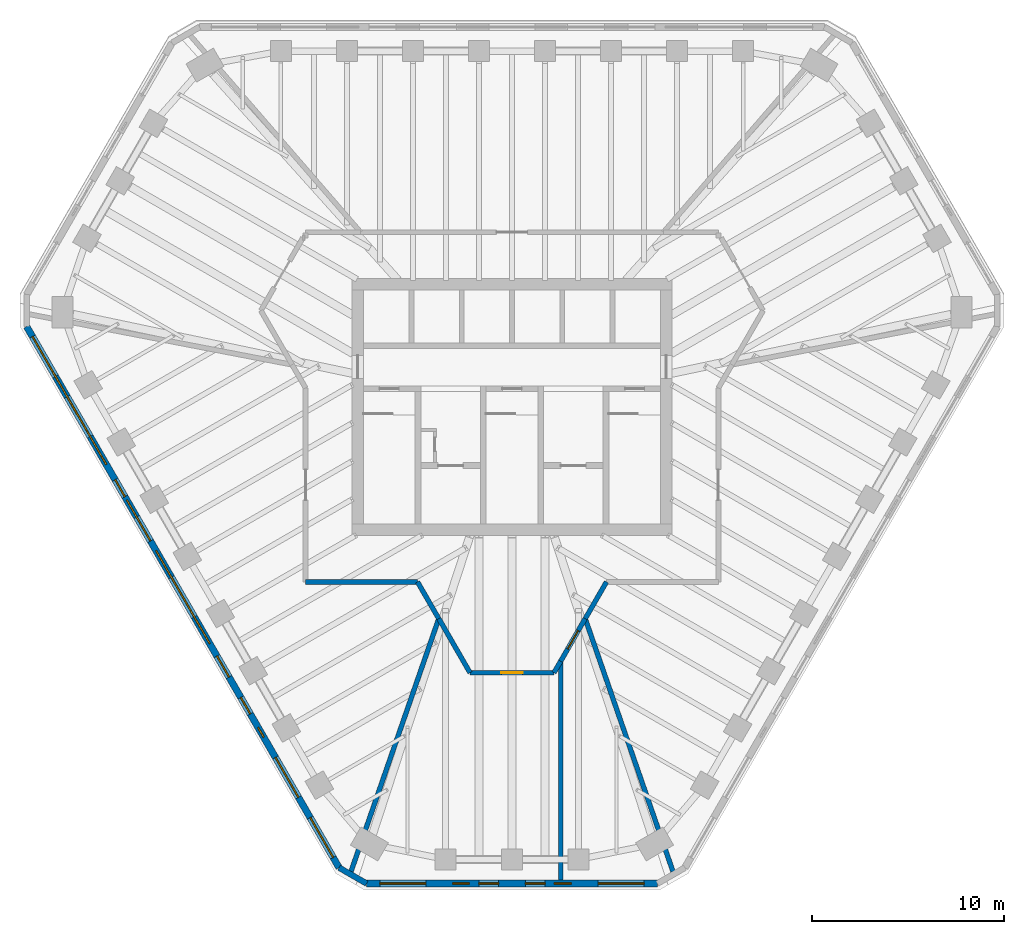
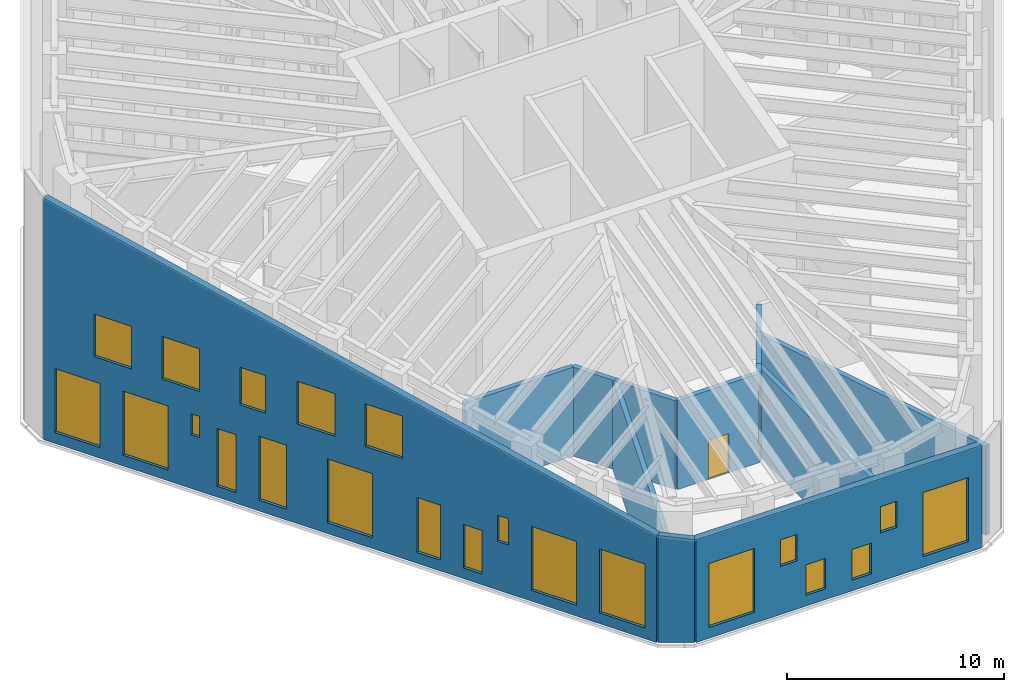
# One storey, part 4 of 9: 22 windows, 13 walls, 2 doors, 24 openings.
"""IFC4 building model written with IfcOpenShell, lengths in metres."""

from ifc_helpers import new_model, si_unit, direction, frame, frame_2d, origin, place, context, subcontext, project, spatial, polyline, rectangle, outline, extrude, material, layer, layer_set, type_object, element, fill, save


model = new_model("IFC4")

# Units and contexts
model_context = context("Model", 3, precision=1e-05, world=origin(), true_north=direction((0.0, 1.0)))
body_context = subcontext(model_context, "Body", "Model", "MODEL_VIEW")
ifc_project = project(units=[si_unit("LENGTHUNIT", "METRE"), si_unit("AREAUNIT", "SQUARE_METRE"), si_unit("VOLUMEUNIT", "CUBIC_METRE"), si_unit("PLANEANGLEUNIT", "RADIAN"), si_unit("MASSUNIT", "GRAM", prefix="KILO")], contexts=[model_context])

# Site, building, storey
site_placement = place(None, origin())
site = spatial("IfcSite", under=ifc_project, at=site_placement, CompositionType="ELEMENT")
building_placement = place(site_placement, origin())
building = spatial("IfcBuilding", under=site, at=building_placement, Name="Sandreach Pilgrim Tower", CompositionType="ELEMENT")
storey_placement = place(building_placement, frame((0.0, 0.0, 298.800048828125)))
storey = spatial("IfcBuildingStorey", under=building, at=storey_placement, Name="L75", CompositionType="ELEMENT", Elevation=298.800048828125)

# Wall, openings, windows
ifc_material_1 = material(Name="Terracotta rainscreen on steel studs", Category="masonry")
ifc_layer_1 = layer(ifc_material_1, 0.35009765625)
ifc_layer_set_1 = layer_set([ifc_layer_1], Name="Crown screen wall")
wall_type_1 = type_object("IfcWallType", Name="Crown screen wall", PredefinedType="SOLIDWALL", material=ifc_layer_set_1)
wall_1_placement = place(storey_placement, frame((7.58349609375, -24.858154296875, 0.0), z_axis=(0.0, 0.0, 1.0), x_axis=(-1.0, 0.0, 0.0)))
wall_1 = element("IfcWall", 1, at=wall_1_placement, inside=storey, type_object=wall_type_1, Name="Crown screen wall L75 S", PredefinedType="SOLIDWALL", context=body_context, shape_type="SweptSolid", body=[
    extrude(outline(polyline([(0.0, 0.0), (15.1669921875, 0.0), (15.166748046875, 5.774658203125), (0.0, 5.774658203125), (0.0, 0.0)])), frame((0.0, 0.175048828125, 0.0), z_axis=(0.0, -1.0, 0.0), x_axis=(1.0, 0.0, 0.0)), (0.0, 0.0, 1.0), 0.35009765625),
])
opening_1_placement = place(wall_1_placement, frame((0.69580078125, 0.0, 0.60009765625)))
opening_1 = element("IfcOpeningElement", 2, at=opening_1_placement, cuts=wall_1, Name="Opening WL2", PredefinedType="OPENING", context=body_context, shape_type="SweptSolid", body=[
    extrude(rectangle(XDim=2.39990234375, YDim=3.60009765625, at=frame_2d((1.199951171875, 1.800048828125))), frame((0.0, 0.18505859375, 0.0), z_axis=(0.0, -1.0, 0.0), x_axis=(1.0, 0.0, 0.0)), (0.0, 0.0, 1.0), 0.3701171875),
])
opening_2_placement = place(wall_1_placement, frame((4.488037109375, 0.0, 2.72900390625)))
opening_2 = element("IfcOpeningElement", 3, at=opening_2_placement, cuts=wall_1, Name="Opening WL2", PredefinedType="OPENING", context=body_context, shape_type="SweptSolid", body=[
    extrude(rectangle(XDim=0.885986328125, YDim=1.470947265625, at=frame_2d((0.44287109375, 0.7353515625))), frame((0.0, 0.18505859375, 0.0), z_axis=(0.0, -1.0, 0.0), x_axis=(1.0, 0.0, 0.0)), (0.0, 0.0, 1.0), 0.3701171875),
])
opening_3_placement = place(wall_1_placement, frame((5.85400390625, 0.0, 0.60107421875)))
opening_3 = element("IfcOpeningElement", 4, at=opening_3_placement, cuts=wall_1, Name="Opening WL2", PredefinedType="OPENING", context=body_context, shape_type="SweptSolid", body=[
    extrude(rectangle(XDim=1.032958984375, YDim=1.718994140625, at=frame_2d((0.5166015625, 0.859375))), frame((0.0, 0.18505859375, 0.0), z_axis=(0.0, -1.0, 0.0), x_axis=(1.0, 0.0, 0.0)), (0.0, 0.0, 1.0), 0.3701171875),
])
opening_4_placement = place(wall_1_placement, frame((8.280029296875, 0.0, 0.60107421875)))
opening_4 = element("IfcOpeningElement", 5, at=opening_4_placement, cuts=wall_1, Name="Opening WL2", PredefinedType="OPENING", context=body_context, shape_type="SweptSolid", body=[
    extrude(rectangle(XDim=1.032958984375, YDim=1.718994140625, at=frame_2d((0.5166015625, 0.859375))), frame((0.0, 0.18505859375, 0.0), z_axis=(0.0, -1.0, 0.0), x_axis=(1.0, 0.0, 0.0)), (0.0, 0.0, 1.0), 0.3701171875),
])
opening_5_placement = place(wall_1_placement, frame((9.80810546875, 0.0, 2.7041015625)))
opening_5 = element("IfcOpeningElement", 6, at=opening_5_placement, cuts=wall_1, Name="Opening WL2", PredefinedType="OPENING", context=body_context, shape_type="SweptSolid", body=[
    extrude(rectangle(XDim=0.87109375, YDim=1.49609375, at=frame_2d((0.435546875, 0.748046875))), frame((0.0, 0.18505859375, 0.0), z_axis=(0.0, -1.0, 0.0), x_axis=(1.0, 0.0, 0.0)), (0.0, 0.0, 1.0), 0.3701171875),
])
opening_6_placement = place(wall_1_placement, frame((12.071044921875, 0.0, 0.60009765625)))
opening_6 = element("IfcOpeningElement", 7, at=opening_6_placement, cuts=wall_1, Name="Opening WL2", PredefinedType="OPENING", context=body_context, shape_type="SweptSolid", body=[
    extrude(rectangle(XDim=2.39990234375, YDim=3.60009765625, at=frame_2d((1.199951171875, 1.800048828125))), frame((0.0, 0.18505859375, 0.0), z_axis=(0.0, -1.0, 0.0), x_axis=(1.0, 0.0, 0.0)), (0.0, 0.0, 1.0), 0.3701171875),
])
ifc_material_2 = material(Name="Aluminium weather louvre", Category="aluminium")
window_type_1 = type_object("IfcWindowType", Name="Plant louvre window", PartitioningType="SINGLE_PANEL", PredefinedType="WINDOW", material=ifc_material_2)
window_1_placement = place(opening_1_placement, origin())
window_1 = element("IfcWindow", 8, at=window_1_placement, inside=storey, type_object=window_type_1, Name="Plant louvre S 1", OverallHeight=3.60009765625, OverallWidth=2.39990234375, PartitioningType="SINGLE_PANEL", PredefinedType="WINDOW", context=body_context, shape_type="SweptSolid", body=[
    extrude(rectangle(XDim=2.39990234375, YDim=3.60009765625, at=frame_2d((1.199951171875, 1.800048828125))), frame((0.0, 0.030029296875, 0.0), z_axis=(0.0, -1.0, 0.0), x_axis=(1.0, 0.0, 0.0)), (0.0, 0.0, 1.0), 0.06005859375),
])
fill(opening_1, window_1)
window_2_placement = place(opening_2_placement, origin())
window_2 = element("IfcWindow", 9, at=window_2_placement, inside=storey, type_object=window_type_1, Name="Plant louvre S 2 (b)", OverallHeight=1.470947265625, OverallWidth=0.885986328125, PartitioningType="SINGLE_PANEL", PredefinedType="WINDOW", context=body_context, shape_type="SweptSolid", body=[
    extrude(rectangle(XDim=0.885986328125, YDim=1.470947265625, at=frame_2d((0.44287109375, 0.7353515625))), frame((0.0, 0.030029296875, 0.0), z_axis=(0.0, -1.0, 0.0), x_axis=(1.0, 0.0, 0.0)), (0.0, 0.0, 1.0), 0.06005859375),
])
fill(opening_2, window_2)
window_3_placement = place(opening_3_placement, origin())
window_3 = element("IfcWindow", 10, at=window_3_placement, inside=storey, type_object=window_type_1, Name="Plant louvre S 2", OverallHeight=1.718994140625, OverallWidth=1.032958984375, PartitioningType="SINGLE_PANEL", PredefinedType="WINDOW", context=body_context, shape_type="SweptSolid", body=[
    extrude(rectangle(XDim=1.032958984375, YDim=1.718994140625, at=frame_2d((0.5166015625, 0.859375))), frame((0.0, 0.030029296875, 0.0), z_axis=(0.0, -1.0, 0.0), x_axis=(1.0, 0.0, 0.0)), (0.0, 0.0, 1.0), 0.06005859375),
])
fill(opening_3, window_3)
window_4_placement = place(opening_4_placement, origin())
window_4 = element("IfcWindow", 11, at=window_4_placement, inside=storey, type_object=window_type_1, Name="Plant louvre S 3", OverallHeight=1.718994140625, OverallWidth=1.032958984375, PartitioningType="SINGLE_PANEL", PredefinedType="WINDOW", context=body_context, shape_type="SweptSolid", body=[
    extrude(rectangle(XDim=1.032958984375, YDim=1.718994140625, at=frame_2d((0.5166015625, 0.859375))), frame((0.0, 0.030029296875, 0.0), z_axis=(0.0, -1.0, 0.0), x_axis=(1.0, 0.0, 0.0)), (0.0, 0.0, 1.0), 0.06005859375),
])
fill(opening_4, window_4)
window_5_placement = place(opening_5_placement, origin())
window_5 = element("IfcWindow", 12, at=window_5_placement, inside=storey, type_object=window_type_1, Name="Plant louvre S 3 (b)", OverallHeight=1.49609375, OverallWidth=0.87109375, PartitioningType="SINGLE_PANEL", PredefinedType="WINDOW", context=body_context, shape_type="SweptSolid", body=[
    extrude(rectangle(XDim=0.87109375, YDim=1.49609375, at=frame_2d((0.435546875, 0.748046875))), frame((0.0, 0.030029296875, 0.0), z_axis=(0.0, -1.0, 0.0), x_axis=(1.0, 0.0, 0.0)), (0.0, 0.0, 1.0), 0.06005859375),
])
fill(opening_5, window_5)
window_6_placement = place(opening_6_placement, origin())
window_6 = element("IfcWindow", 13, at=window_6_placement, inside=storey, type_object=window_type_1, Name="Plant louvre S 4", OverallHeight=3.60009765625, OverallWidth=2.39990234375, PartitioningType="SINGLE_PANEL", PredefinedType="WINDOW", context=body_context, shape_type="SweptSolid", body=[
    extrude(rectangle(XDim=2.39990234375, YDim=3.60009765625, at=frame_2d((1.199951171875, 1.800048828125))), frame((0.0, 0.030029296875, 0.0), z_axis=(0.0, -1.0, 0.0), x_axis=(1.0, 0.0, 0.0)), (0.0, 0.0, 1.0), 0.06005859375),
])
fill(opening_6, window_6)

wall_2_placement = place(storey_placement, frame((-9.02099609375, -24.028076171875, 0.0), z_axis=(0.0, 0.0, 1.0), x_axis=(-0.499997560549, 0.866026812198, 0.0)))
wall_2 = element("IfcWall", 14, at=wall_2_placement, inside=storey, type_object=wall_type_1, Name="Crown screen wall L75 SW", PredefinedType="SOLIDWALL", context=body_context, shape_type="SweptSolid", body=[
    extrude(outline(polyline([(0.0, 0.0), (32.596923828125, 0.0), (32.5966796875, 13.58447265625), (0.0, 6.0205078125), (0.0, 0.0)])), frame((0.0, 0.175048828125, 0.0), z_axis=(0.0, -1.0, 0.0), x_axis=(1.0, 0.0, 0.0)), (0.0, 0.0, 1.0), 0.35009765625),
])
opening_7_placement = place(wall_2_placement, frame((0.61083984375, 0.0, 0.60009765625)))
opening_7 = element("IfcOpeningElement", 15, at=opening_7_placement, cuts=wall_2, Name="Opening WL2", PredefinedType="OPENING", context=body_context, shape_type="SweptSolid", body=[
    extrude(rectangle(XDim=2.39990234375, YDim=3.60009765625, at=frame_2d((1.199951171875, 1.800048828125))), frame((0.0, 0.18505859375, 0.0), z_axis=(0.0, -1.0, 0.0), x_axis=(1.0, 0.0, 0.0)), (0.0, 0.0, 1.0), 0.3701171875),
])
opening_8_placement = place(wall_2_placement, frame((4.23291015625, 0.0, 0.60009765625)))
opening_8 = element("IfcOpeningElement", 16, at=opening_8_placement, cuts=wall_2, Name="Opening WL2", PredefinedType="OPENING", context=body_context, shape_type="SweptSolid", body=[
    extrude(rectangle(XDim=2.39990234375, YDim=3.60009765625, at=frame_2d((1.199951171875, 1.800048828125))), frame((0.0, 0.18505859375, 0.0), z_axis=(0.0, -1.0, 0.0), x_axis=(1.0, 0.0, 0.0)), (0.0, 0.0, 1.0), 0.3701171875),
])
opening_9_placement = place(wall_2_placement, frame((7.85498046875, 0.0, 2.719970703125)))
opening_9 = element("IfcOpeningElement", 17, at=opening_9_placement, cuts=wall_2, Name="Opening WL2", PredefinedType="OPENING", context=body_context, shape_type="SweptSolid", body=[
    extrude(rectangle(XDim=0.60009765625, YDim=1.47998046875, at=frame_2d((0.300048828125, 0.739990234375))), frame((0.0, 0.18505859375, 0.0), z_axis=(0.0, -1.0, 0.0), x_axis=(1.0, 0.0, 0.0)), (0.0, 0.0, 1.0), 0.3701171875),
])
opening_10_placement = place(wall_2_placement, frame((9.259033203125, 0.0, 0.60107421875)))
opening_10 = element("IfcOpeningElement", 18, at=opening_10_placement, cuts=wall_2, Name="Opening WL2", PredefinedType="OPENING", context=body_context, shape_type="SweptSolid", body=[
    extrude(rectangle(XDim=0.9951171875, YDim=2.448974609375, at=frame_2d((0.49755859375, 1.224609375))), frame((0.0, 0.18505859375, 0.0), z_axis=(0.0, -1.0, 0.0), x_axis=(1.0, 0.0, 0.0)), (0.0, 0.0, 1.0), 0.3701171875),
])
opening_11_placement = place(wall_2_placement, frame((11.47705078125, 0.0, 0.60107421875)))
opening_11 = element("IfcOpeningElement", 19, at=opening_11_placement, cuts=wall_2, Name="Opening WL2", PredefinedType="OPENING", context=body_context, shape_type="SweptSolid", body=[
    extrude(rectangle(XDim=1.260986328125, YDim=3.09912109375, at=frame_2d((0.63037109375, 1.549560546875))), frame((0.0, 0.18505859375, 0.0), z_axis=(0.0, -1.0, 0.0), x_axis=(1.0, 0.0, 0.0)), (0.0, 0.0, 1.0), 0.3701171875),
])
opening_12_placement = place(wall_2_placement, frame((15.098388671875, 0.0, 0.60009765625)))
opening_12 = element("IfcOpeningElement", 20, at=opening_12_placement, cuts=wall_2, Name="Opening WL2", PredefinedType="OPENING", context=body_context, shape_type="SweptSolid", body=[
    extrude(rectangle(XDim=2.39990234375, YDim=3.60009765625, at=frame_2d((1.199951171875, 1.800048828125))), frame((0.0, 0.18505859375, 0.0), z_axis=(0.0, -1.0, 0.0), x_axis=(1.0, 0.0, 0.0)), (0.0, 0.0, 1.0), 0.3701171875),
])
opening_13_placement = place(wall_2_placement, frame((19.676025390625, 0.0, 0.60107421875)))
opening_13 = element("IfcOpeningElement", 21, at=opening_13_placement, cuts=wall_2, Name="Opening WL2", PredefinedType="OPENING", context=body_context, shape_type="SweptSolid", body=[
    extrude(rectangle(XDim=1.444091796875, YDim=3.59912109375, at=frame_2d((0.72216796875, 1.799560546875))), frame((0.0, 0.18505859375, 0.0), z_axis=(0.0, -1.0, 0.0), x_axis=(1.0, 0.0, 0.0)), (0.0, 0.0, 1.0), 0.3701171875),
])
opening_14_placement = place(wall_2_placement, frame((22.343017578125, 0.0, 0.60107421875)))
opening_14 = element("IfcOpeningElement", 22, at=opening_14_placement, cuts=wall_2, Name="Opening WL2", PredefinedType="OPENING", context=body_context, shape_type="SweptSolid", body=[
    extrude(rectangle(XDim=1.02392578125, YDim=3.2490234375, at=frame_2d((0.511962890625, 1.62451171875))), frame((0.0, 0.18505859375, 0.0), z_axis=(0.0, -1.0, 0.0), x_axis=(1.0, 0.0, 0.0)), (0.0, 0.0, 1.0), 0.3701171875),
])
opening_15_placement = place(wall_2_placement, frame((24.284912109375, 0.0, 3.0048828125)))
opening_15 = element("IfcOpeningElement", 23, at=opening_15_placement, cuts=wall_2, Name="Opening WL2", PredefinedType="OPENING", context=body_context, shape_type="SweptSolid", body=[
    extrude(rectangle(XDim=0.45703125, YDim=1.195068359375, at=frame_2d((0.228515625, 0.59765625))), frame((0.0, 0.18505859375, 0.0), z_axis=(0.0, -1.0, 0.0), x_axis=(1.0, 0.0, 0.0)), (0.0, 0.0, 1.0), 0.3701171875),
])
opening_16_placement = place(wall_2_placement, frame((25.9638671875, 0.0, 0.60009765625)))
opening_16 = element("IfcOpeningElement", 24, at=opening_16_placement, cuts=wall_2, Name="Opening WL2", PredefinedType="OPENING", context=body_context, shape_type="SweptSolid", body=[
    extrude(rectangle(XDim=2.39990234375, YDim=3.60009765625, at=frame_2d((1.199951171875, 1.800048828125))), frame((0.0, 0.18505859375, 0.0), z_axis=(0.0, -1.0, 0.0), x_axis=(1.0, 0.0, 0.0)), (0.0, 0.0, 1.0), 0.3701171875),
])
opening_17_placement = place(wall_2_placement, frame((29.5859375, 0.0, 0.60009765625)))
opening_17 = element("IfcOpeningElement", 25, at=opening_17_placement, cuts=wall_2, Name="Opening WL2", PredefinedType="OPENING", context=body_context, shape_type="SweptSolid", body=[
    extrude(rectangle(XDim=2.39990234375, YDim=3.60009765625, at=frame_2d((1.199951171875, 1.800048828125))), frame((0.0, 0.18505859375, 0.0), z_axis=(0.0, -1.0, 0.0), x_axis=(1.0, 0.0, 0.0)), (0.0, 0.0, 1.0), 0.3701171875),
])
opening_18_placement = place(wall_2_placement, frame((13.498291015625, 0.0, 5.60009765625)))
opening_18 = element("IfcOpeningElement", 26, at=opening_18_placement, cuts=wall_2, Name="Opening WL1", PredefinedType="OPENING", context=body_context, shape_type="SweptSolid", body=[
    extrude(rectangle(XDim=2.0, YDim=2.39990234375, at=frame_2d((1.0, 1.199951171875))), frame((0.0, 0.18505859375, 0.0), z_axis=(0.0, -1.0, 0.0), x_axis=(1.0, 0.0, 0.0)), (0.0, 0.0, 1.0), 0.3701171875),
])
opening_19_placement = place(wall_2_placement, frame((17.098388671875, 0.0, 5.60009765625)))
opening_19 = element("IfcOpeningElement", 27, at=opening_19_placement, cuts=wall_2, Name="Opening WL1", PredefinedType="OPENING", context=body_context, shape_type="SweptSolid", body=[
    extrude(rectangle(XDim=2.0, YDim=2.39990234375, at=frame_2d((1.0, 1.199951171875))), frame((0.0, 0.18505859375, 0.0), z_axis=(0.0, -1.0, 0.0), x_axis=(1.0, 0.0, 0.0)), (0.0, 0.0, 1.0), 0.3701171875),
])
opening_20_placement = place(wall_2_placement, frame((20.7919921875, 0.0, 5.60107421875)))
opening_20 = element("IfcOpeningElement", 28, at=opening_20_placement, cuts=wall_2, Name="Opening WL1", PredefinedType="OPENING", context=body_context, shape_type="SweptSolid", body=[
    extrude(rectangle(XDim=1.347900390625, YDim=2.1240234375, at=frame_2d((0.673828125, 1.06201171875))), frame((0.0, 0.18505859375, 0.0), z_axis=(0.0, -1.0, 0.0), x_axis=(1.0, 0.0, 0.0)), (0.0, 0.0, 1.0), 0.3701171875),
])
opening_21_placement = place(wall_2_placement, frame((24.29833984375, 0.0, 5.60009765625)))
opening_21 = element("IfcOpeningElement", 29, at=opening_21_placement, cuts=wall_2, Name="Opening WL1", PredefinedType="OPENING", context=body_context, shape_type="SweptSolid", body=[
    extrude(rectangle(XDim=2.0, YDim=2.39990234375, at=frame_2d((1.0, 1.199951171875))), frame((0.0, 0.18505859375, 0.0), z_axis=(0.0, -1.0, 0.0), x_axis=(1.0, 0.0, 0.0)), (0.0, 0.0, 1.0), 0.3701171875),
])
opening_22_placement = place(wall_2_placement, frame((27.8984375, 0.0, 5.60009765625)))
opening_22 = element("IfcOpeningElement", 30, at=opening_22_placement, cuts=wall_2, Name="Opening WL1", PredefinedType="OPENING", context=body_context, shape_type="SweptSolid", body=[
    extrude(rectangle(XDim=2.0, YDim=2.39990234375, at=frame_2d((1.0, 1.199951171875))), frame((0.0, 0.18505859375, 0.0), z_axis=(0.0, -1.0, 0.0), x_axis=(1.0, 0.0, 0.0)), (0.0, 0.0, 1.0), 0.3701171875),
])
ifc_material_3 = material(Name="Aluminium weather louvre", Category="aluminium")
window_type_2 = type_object("IfcWindowType", Name="Crown louvre window", PartitioningType="SINGLE_PANEL", PredefinedType="WINDOW", material=ifc_material_3)
window_7_placement = place(opening_18_placement, origin())
window_7 = element("IfcWindow", 31, at=window_7_placement, inside=storey, type_object=window_type_2, Name="Crown louvre SW 4", OverallHeight=2.39990234375, OverallWidth=2.0, PartitioningType="SINGLE_PANEL", PredefinedType="WINDOW", context=body_context, shape_type="SweptSolid", body=[
    extrude(rectangle(XDim=2.0, YDim=2.39990234375, at=frame_2d((1.0, 1.199951171875))), frame((0.0, 0.030029296875, 0.0), z_axis=(0.0, -1.0, 0.0), x_axis=(1.0, 0.0, 0.0)), (0.0, 0.0, 1.0), 0.06005859375),
])
fill(opening_18, window_7)
window_8_placement = place(opening_19_placement, origin())
window_8 = element("IfcWindow", 32, at=window_8_placement, inside=storey, type_object=window_type_2, Name="Crown louvre SW 5", OverallHeight=2.39990234375, OverallWidth=2.0, PartitioningType="SINGLE_PANEL", PredefinedType="WINDOW", context=body_context, shape_type="SweptSolid", body=[
    extrude(rectangle(XDim=2.0, YDim=2.39990234375, at=frame_2d((1.0, 1.199951171875))), frame((0.0, 0.030029296875, 0.0), z_axis=(0.0, -1.0, 0.0), x_axis=(1.0, 0.0, 0.0)), (0.0, 0.0, 1.0), 0.06005859375),
])
fill(opening_19, window_8)
window_9_placement = place(opening_20_placement, origin())
window_9 = element("IfcWindow", 33, at=window_9_placement, inside=storey, type_object=window_type_2, Name="Crown louvre SW 6", OverallHeight=2.1240234375, OverallWidth=1.347900390625, PartitioningType="SINGLE_PANEL", PredefinedType="WINDOW", context=body_context, shape_type="SweptSolid", body=[
    extrude(rectangle(XDim=1.347900390625, YDim=2.1240234375, at=frame_2d((0.673828125, 1.06201171875))), frame((0.0, 0.030029296875, 0.0), z_axis=(0.0, -1.0, 0.0), x_axis=(1.0, 0.0, 0.0)), (0.0, 0.0, 1.0), 0.06005859375),
])
fill(opening_20, window_9)
window_10_placement = place(opening_21_placement, origin())
window_10 = element("IfcWindow", 34, at=window_10_placement, inside=storey, type_object=window_type_2, Name="Crown louvre SW 7", OverallHeight=2.39990234375, OverallWidth=2.0, PartitioningType="SINGLE_PANEL", PredefinedType="WINDOW", context=body_context, shape_type="SweptSolid", body=[
    extrude(rectangle(XDim=2.0, YDim=2.39990234375, at=frame_2d((1.0, 1.199951171875))), frame((0.0, 0.030029296875, 0.0), z_axis=(0.0, -1.0, 0.0), x_axis=(1.0, 0.0, 0.0)), (0.0, 0.0, 1.0), 0.06005859375),
])
fill(opening_21, window_10)
window_11_placement = place(opening_22_placement, origin())
window_11 = element("IfcWindow", 35, at=window_11_placement, inside=storey, type_object=window_type_2, Name="Crown louvre SW 8", OverallHeight=2.39990234375, OverallWidth=2.0, PartitioningType="SINGLE_PANEL", PredefinedType="WINDOW", context=body_context, shape_type="SweptSolid", body=[
    extrude(rectangle(XDim=2.0, YDim=2.39990234375, at=frame_2d((1.0, 1.199951171875))), frame((0.0, 0.030029296875, 0.0), z_axis=(0.0, -1.0, 0.0), x_axis=(1.0, 0.0, 0.0)), (0.0, 0.0, 1.0), 0.06005859375),
])
fill(opening_22, window_11)
window_12_placement = place(opening_7_placement, origin())
window_12 = element("IfcWindow", 36, at=window_12_placement, inside=storey, type_object=window_type_1, Name="Plant louvre SW 1", OverallHeight=3.60009765625, OverallWidth=2.39990234375, PartitioningType="SINGLE_PANEL", PredefinedType="WINDOW", context=body_context, shape_type="SweptSolid", body=[
    extrude(rectangle(XDim=2.39990234375, YDim=3.60009765625, at=frame_2d((1.199951171875, 1.800048828125))), frame((0.0, 0.030029296875, 0.0), z_axis=(0.0, -1.0, 0.0), x_axis=(1.0, 0.0, 0.0)), (0.0, 0.0, 1.0), 0.06005859375),
])
fill(opening_7, window_12)
window_13_placement = place(opening_8_placement, origin())
window_13 = element("IfcWindow", 37, at=window_13_placement, inside=storey, type_object=window_type_1, Name="Plant louvre SW 2", OverallHeight=3.60009765625, OverallWidth=2.39990234375, PartitioningType="SINGLE_PANEL", PredefinedType="WINDOW", context=body_context, shape_type="SweptSolid", body=[
    extrude(rectangle(XDim=2.39990234375, YDim=3.60009765625, at=frame_2d((1.199951171875, 1.800048828125))), frame((0.0, 0.030029296875, 0.0), z_axis=(0.0, -1.0, 0.0), x_axis=(1.0, 0.0, 0.0)), (0.0, 0.0, 1.0), 0.06005859375),
])
fill(opening_8, window_13)
window_14_placement = place(opening_9_placement, origin())
window_14 = element("IfcWindow", 38, at=window_14_placement, inside=storey, type_object=window_type_1, Name="Plant louvre SW 3 (b)", OverallHeight=1.47998046875, OverallWidth=0.60009765625, PartitioningType="SINGLE_PANEL", PredefinedType="WINDOW", context=body_context, shape_type="SweptSolid", body=[
    extrude(rectangle(XDim=0.60009765625, YDim=1.47998046875, at=frame_2d((0.300048828125, 0.739990234375))), frame((0.0, 0.030029296875, 0.0), z_axis=(0.0, -1.0, 0.0), x_axis=(1.0, 0.0, 0.0)), (0.0, 0.0, 1.0), 0.06005859375),
])
fill(opening_9, window_14)
window_15_placement = place(opening_10_placement, origin())
window_15 = element("IfcWindow", 39, at=window_15_placement, inside=storey, type_object=window_type_1, Name="Plant louvre SW 3", OverallHeight=2.448974609375, OverallWidth=0.9951171875, PartitioningType="SINGLE_PANEL", PredefinedType="WINDOW", context=body_context, shape_type="SweptSolid", body=[
    extrude(rectangle(XDim=0.9951171875, YDim=2.448974609375, at=frame_2d((0.49755859375, 1.224609375))), frame((0.0, 0.030029296875, 0.0), z_axis=(0.0, -1.0, 0.0), x_axis=(1.0, 0.0, 0.0)), (0.0, 0.0, 1.0), 0.06005859375),
])
fill(opening_10, window_15)
window_16_placement = place(opening_11_placement, origin())
window_16 = element("IfcWindow", 40, at=window_16_placement, inside=storey, type_object=window_type_1, Name="Plant louvre SW 4", OverallHeight=3.09912109375, OverallWidth=1.260986328125, PartitioningType="SINGLE_PANEL", PredefinedType="WINDOW", context=body_context, shape_type="SweptSolid", body=[
    extrude(rectangle(XDim=1.260986328125, YDim=3.09912109375, at=frame_2d((0.63037109375, 1.549560546875))), frame((0.0, 0.030029296875, 0.0), z_axis=(0.0, -1.0, 0.0), x_axis=(1.0, 0.0, 0.0)), (0.0, 0.0, 1.0), 0.06005859375),
])
fill(opening_11, window_16)
window_17_placement = place(opening_12_placement, origin())
window_17 = element("IfcWindow", 41, at=window_17_placement, inside=storey, type_object=window_type_1, Name="Plant louvre SW 5", OverallHeight=3.60009765625, OverallWidth=2.39990234375, PartitioningType="SINGLE_PANEL", PredefinedType="WINDOW", context=body_context, shape_type="SweptSolid", body=[
    extrude(rectangle(XDim=2.39990234375, YDim=3.60009765625, at=frame_2d((1.199951171875, 1.800048828125))), frame((0.0, 0.030029296875, 0.0), z_axis=(0.0, -1.0, 0.0), x_axis=(1.0, 0.0, 0.0)), (0.0, 0.0, 1.0), 0.06005859375),
])
fill(opening_12, window_17)
window_18_placement = place(opening_13_placement, origin())
window_18 = element("IfcWindow", 42, at=window_18_placement, inside=storey, type_object=window_type_1, Name="Plant louvre SW 6", OverallHeight=3.59912109375, OverallWidth=1.444091796875, PartitioningType="SINGLE_PANEL", PredefinedType="WINDOW", context=body_context, shape_type="SweptSolid", body=[
    extrude(rectangle(XDim=1.444091796875, YDim=3.59912109375, at=frame_2d((0.72216796875, 1.799560546875))), frame((0.0, 0.030029296875, 0.0), z_axis=(0.0, -1.0, 0.0), x_axis=(1.0, 0.0, 0.0)), (0.0, 0.0, 1.0), 0.06005859375),
])
fill(opening_13, window_18)
window_19_placement = place(opening_14_placement, origin())
window_19 = element("IfcWindow", 43, at=window_19_placement, inside=storey, type_object=window_type_1, Name="Plant louvre SW 7", OverallHeight=3.2490234375, OverallWidth=1.02392578125, PartitioningType="SINGLE_PANEL", PredefinedType="WINDOW", context=body_context, shape_type="SweptSolid", body=[
    extrude(rectangle(XDim=1.02392578125, YDim=3.2490234375, at=frame_2d((0.511962890625, 1.62451171875))), frame((0.0, 0.030029296875, 0.0), z_axis=(0.0, -1.0, 0.0), x_axis=(1.0, 0.0, 0.0)), (0.0, 0.0, 1.0), 0.06005859375),
])
fill(opening_14, window_19)
window_20_placement = place(opening_15_placement, origin())
window_20 = element("IfcWindow", 44, at=window_20_placement, inside=storey, type_object=window_type_1, Name="Plant louvre SW 7 (b)", OverallHeight=1.195068359375, OverallWidth=0.45703125, PartitioningType="SINGLE_PANEL", PredefinedType="WINDOW", context=body_context, shape_type="SweptSolid", body=[
    extrude(rectangle(XDim=0.45703125, YDim=1.195068359375, at=frame_2d((0.228515625, 0.59765625))), frame((0.0, 0.030029296875, 0.0), z_axis=(0.0, -1.0, 0.0), x_axis=(1.0, 0.0, 0.0)), (0.0, 0.0, 1.0), 0.06005859375),
])
fill(opening_15, window_20)
window_21_placement = place(opening_16_placement, origin())
window_21 = element("IfcWindow", 45, at=window_21_placement, inside=storey, type_object=window_type_1, Name="Plant louvre SW 8", OverallHeight=3.60009765625, OverallWidth=2.39990234375, PartitioningType="SINGLE_PANEL", PredefinedType="WINDOW", context=body_context, shape_type="SweptSolid", body=[
    extrude(rectangle(XDim=2.39990234375, YDim=3.60009765625, at=frame_2d((1.199951171875, 1.800048828125))), frame((0.0, 0.030029296875, 0.0), z_axis=(0.0, -1.0, 0.0), x_axis=(1.0, 0.0, 0.0)), (0.0, 0.0, 1.0), 0.06005859375),
])
fill(opening_16, window_21)
window_22_placement = place(opening_17_placement, origin())
window_22 = element("IfcWindow", 46, at=window_22_placement, inside=storey, type_object=window_type_1, Name="Plant louvre SW 9", OverallHeight=3.60009765625, OverallWidth=2.39990234375, PartitioningType="SINGLE_PANEL", PredefinedType="WINDOW", context=body_context, shape_type="SweptSolid", body=[
    extrude(rectangle(XDim=2.39990234375, YDim=3.60009765625, at=frame_2d((1.199951171875, 1.800048828125))), frame((0.0, 0.030029296875, 0.0), z_axis=(0.0, -1.0, 0.0), x_axis=(1.0, 0.0, 0.0)), (0.0, 0.0, 1.0), 0.06005859375),
])
fill(opening_17, window_22)

# Walls
ifc_material_4 = material(Name="Acoustic gypsum board wall, double frame", Category="gypsum")
ifc_layer_2 = layer(ifc_material_4, 0.25)
ifc_layer_set_2 = layer_set([ifc_layer_2], Name="Hall partition 250")
wall_type_2 = type_object("IfcWallType", Name="Hall partition 250", PredefinedType="PARTITIONING", material=ifc_layer_set_2)
wall_3_placement = place(storey_placement, frame((-10.77001953125, -9.1201171875, 0.0), z_axis=(0.0, 0.0, 1.0), x_axis=(1.0, 0.0, 0.0)))
element("IfcWall", 47, at=wall_3_placement, inside=storey, type_object=wall_type_2, Name="Hall partition L75-005", PredefinedType="PARTITIONING", context=body_context, shape_type="SweptSolid", body=[
    extrude(rectangle(XDim=5.840087890625, YDim=0.25, at=frame_2d((2.919921875, 0.0))), origin(), (0.0, 0.0, 1.0), 5.0),
])
wall_4_placement = place(storey_placement, frame((-8.397705078125, -24.23046875, 0.0), z_axis=(0.0, 0.0, 1.0), x_axis=(0.327859974014, 0.944726329388, 0.0)))
element("IfcWall", 48, at=wall_4_placement, inside=storey, type_object=wall_type_2, Name="Hall partition L75-009", PredefinedType="PARTITIONING", context=body_context, shape_type="SweptSolid", body=[
    extrude(rectangle(XDim=13.962158203125, YDim=0.25, at=frame_2d((6.98095703125, 0.0))), origin(), (0.0, 0.0, 1.0), 5.0),
])
wall_5_placement = place(storey_placement, frame((-3.820068359375, -11.0400390625, 0.0), z_axis=(0.0, 0.0, 1.0), x_axis=(-0.50042430987, 0.865780289733, 0.0)))
element("IfcWall", 49, at=wall_5_placement, inside=storey, type_object=wall_type_2, Name="Hall partition L75-012", PredefinedType="PARTITIONING", context=body_context, shape_type="SweptSolid", body=[
    extrude(rectangle(XDim=2.2177734375, YDim=0.25, at=frame_2d((1.10888671875, 0.0))), origin(), (0.0, 0.0, 1.0), 5.0),
])
wall_6_placement = place(storey_placement, frame((-2.18994140625, -13.860107421875, 0.0), z_axis=(0.0, 0.0, 1.0), x_axis=(-0.499122654151, 0.86653134745, 0.0)))
element("IfcWall", 50, at=wall_6_placement, inside=storey, type_object=wall_type_2, Name="Hall partition L75-013", PredefinedType="PARTITIONING", context=body_context, shape_type="SweptSolid", body=[
    extrude(rectangle(XDim=3.265869140625, YDim=0.25, at=frame_2d((1.6328125, 0.0))), origin(), (0.0, 0.0, 1.0), 5.0),
])

# Wall, opening, door
wall_7_placement = place(storey_placement, frame((-2.18994140625, -13.860107421875, 0.0), z_axis=(0.0, 0.0, 1.0), x_axis=(1.0, 0.0, 0.0)))
wall_7 = element("IfcWall", 51, at=wall_7_placement, inside=storey, type_object=wall_type_2, Name="Hall partition L75-014", PredefinedType="PARTITIONING", context=body_context, shape_type="SweptSolid", body=[
    extrude(rectangle(XDim=4.3798828125, YDim=0.25, at=frame_2d((2.18994140625, 0.0))), origin(), (0.0, 0.0, 1.0), 5.0),
])
opening_23_placement = place(wall_7_placement, frame((1.639892578125, 0.0, 0.0)))
opening_23 = element("IfcOpeningElement", 52, at=opening_23_placement, cuts=wall_7, Name="Opening D11H-04", PredefinedType="OPENING", context=body_context, shape_type="SweptSolid", body=[
    extrude(rectangle(XDim=1.10009765625, YDim=2.199951171875, at=frame_2d((0.550048828125, 1.10009765625))), frame((0.0, 0.125, 0.0), z_axis=(0.0, -1.0, 0.0), x_axis=(1.0, 0.0, 0.0)), (0.0, 0.0, 1.0), 0.25),
])
ifc_material_5 = material(Name="Steel door and frame", Category="steel")
door_type = type_object("IfcDoorType", Name="Back of house door", OperationType="SINGLE_SWING_LEFT", PredefinedType="DOOR", material=ifc_material_5)
door_1_placement = place(opening_23_placement, origin())
door_1 = element("IfcDoor", 53, at=door_1_placement, inside=storey, type_object=door_type, Name="Door 7504", OperationType="SINGLE_SWING_LEFT", OverallHeight=2.199951171875, OverallWidth=1.10009765625, PredefinedType="DOOR", context=body_context, shape_type="SweptSolid", body=[
    extrude(rectangle(XDim=1.10009765625, YDim=2.199951171875, at=frame_2d((0.550048828125, 1.10009765625))), frame((0.0, 0.02490234375, 0.0), z_axis=(0.0, -1.0, 0.0), x_axis=(1.0, 0.0, 0.0)), (0.0, 0.0, 1.0), 0.050048828125),
])
fill(opening_23, door_1)

# Walls
wall_8_placement = place(storey_placement, frame((2.18994140625, -13.860107421875, 0.0), z_axis=(0.0, 0.0, 1.0), x_axis=(0.501465632015, 0.865177565537, 0.0)))
element("IfcWall", 54, at=wall_8_placement, inside=storey, type_object=wall_type_2, Name="Hall partition L75-015", PredefinedType="PARTITIONING", context=body_context, shape_type="SweptSolid", body=[
    extrude(rectangle(XDim=0.69482421875, YDim=0.25, at=frame_2d((0.347412109375, 0.0))), origin(), (0.0, 0.0, 1.0), 5.0),
])
wall_9_placement = place(storey_placement, frame((2.5400390625, -13.260009765625, 0.0), z_axis=(0.0, 0.0, 1.0), x_axis=(0.0, -1.0, 0.0)))
element("IfcWall", 55, at=wall_9_placement, inside=storey, type_object=wall_type_2, Name="Hall partition L75-016", PredefinedType="PARTITIONING", context=body_context, shape_type="SweptSolid", body=[
    extrude(rectangle(XDim=11.409912109375, YDim=0.25, at=frame_2d((5.705078125, 0.0))), origin(), (0.0, 0.0, 1.0), 5.0),
])

# Wall, opening, door
wall_10_placement = place(storey_placement, frame((3.820068359375, -11.030029296875, 0.0), z_axis=(0.0, 0.0, 1.0), x_axis=(-0.498488963566, -0.866896045211, 0.0)))
wall_10 = element("IfcWall", 56, at=wall_10_placement, inside=storey, type_object=wall_type_2, Name="Hall partition L75-017", PredefinedType="PARTITIONING", context=body_context, shape_type="SweptSolid", body=[
    extrude(rectangle(XDim=2.5712890625, YDim=0.25, at=frame_2d((1.28564453125, 0.0))), origin(), (0.0, 0.0, 1.0), 5.0),
])
opening_24_placement = place(wall_10_placement, frame((0.735595703125, 0.0, 0.0)))
opening_24 = element("IfcOpeningElement", 57, at=opening_24_placement, cuts=wall_10, Name="Opening D11H-N1", PredefinedType="OPENING", context=body_context, shape_type="SweptSolid", body=[
    extrude(rectangle(XDim=1.10009765625, YDim=2.199951171875, at=frame_2d((0.550048828125, 1.10009765625))), frame((0.0, 0.125, 0.0), z_axis=(0.0, -1.0, 0.0), x_axis=(1.0, 0.0, 0.0)), (0.0, 0.0, 1.0), 0.25),
])
door_2_placement = place(opening_24_placement, origin())
door_2 = element("IfcDoor", 58, at=door_2_placement, inside=storey, type_object=door_type, Name="Door 75N1", OperationType="SINGLE_SWING_LEFT", OverallHeight=2.199951171875, OverallWidth=1.10009765625, PredefinedType="DOOR", context=body_context, shape_type="SweptSolid", body=[
    extrude(rectangle(XDim=1.10009765625, YDim=2.199951171875, at=frame_2d((0.550048828125, 1.10009765625))), frame((0.0, 0.02490234375, 0.0), z_axis=(0.0, -1.0, 0.0), x_axis=(1.0, 0.0, 0.0)), (0.0, 0.0, 1.0), 0.050048828125),
])
fill(opening_24, door_2)

# Walls
wall_11_placement = place(storey_placement, frame((4.929931640625, -9.1201171875, 0.0), z_axis=(0.0, 0.0, 1.0), x_axis=(-0.500472006703, -0.86575271903, 0.0)))
element("IfcWall", 59, at=wall_11_placement, inside=storey, type_object=wall_type_2, Name="Hall partition L75-018", PredefinedType="PARTITIONING", context=body_context, shape_type="SweptSolid", body=[
    extrude(rectangle(XDim=2.217529296875, YDim=0.25, at=frame_2d((1.10888671875, 0.0))), origin(), (0.0, 0.0, 1.0), 5.0),
])
wall_12_placement = place(storey_placement, frame((8.397705078125, -24.23046875, 0.0), z_axis=(0.0, 0.0, 1.0), x_axis=(-0.327859974014, 0.944726329388, 0.0)))
element("IfcWall", 60, at=wall_12_placement, inside=storey, type_object=wall_type_2, Name="Hall partition L75-021", PredefinedType="PARTITIONING", context=body_context, shape_type="SweptSolid", body=[
    extrude(rectangle(XDim=13.962158203125, YDim=0.25, at=frame_2d((6.98095703125, 0.0))), origin(), (0.0, 0.0, 1.0), 5.0),
])
ifc_material_6 = material(Name="Terracotta rainscreen on concrete", Category="masonry")
ifc_layer_3 = layer(ifc_material_6, 0.300048828125)
ifc_layer_set_3 = layer_set([ifc_layer_3], Name="Terracotta chamfer pier")
wall_type_3 = type_object("IfcWallType", Name="Terracotta chamfer pier", PredefinedType="SOLIDWALL", material=ifc_layer_set_3)
wall_13_placement = place(storey_placement, frame((-7.58349609375, -24.858154296875, 0.0), z_axis=(0.0, 0.0, 1.0), x_axis=(-0.865989634427, 0.500061949227, 0.0)))
element("IfcWall", 61, at=wall_13_placement, inside=storey, type_object=wall_type_3, Name="Chamfer pier L75 S", PredefinedType="SOLIDWALL", context=body_context, shape_type="SweptSolid", body=[
    extrude(outline(polyline([(0.0, 0.0), (1.659912109375, 0.0), (1.659912109375, 6.009033203125), (0.0, 5.78662109375), (0.0, 0.0)])), frame((0.0, 0.14990234375, 0.0), z_axis=(0.0, -1.0, 0.0), x_axis=(1.0, 0.0, 0.0)), (0.0, 0.0, 1.0), 0.300048828125),
])

save(model, "model.ifc")
